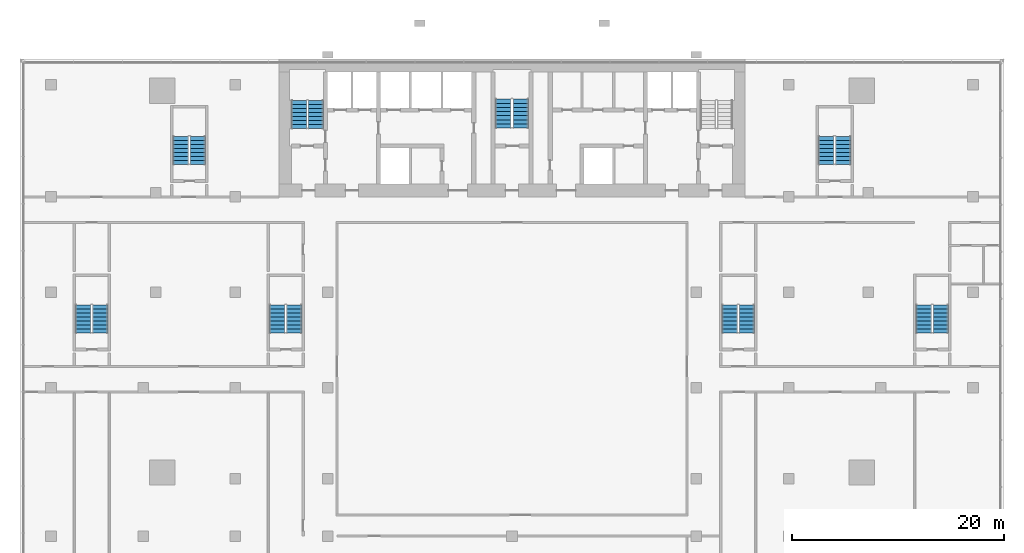
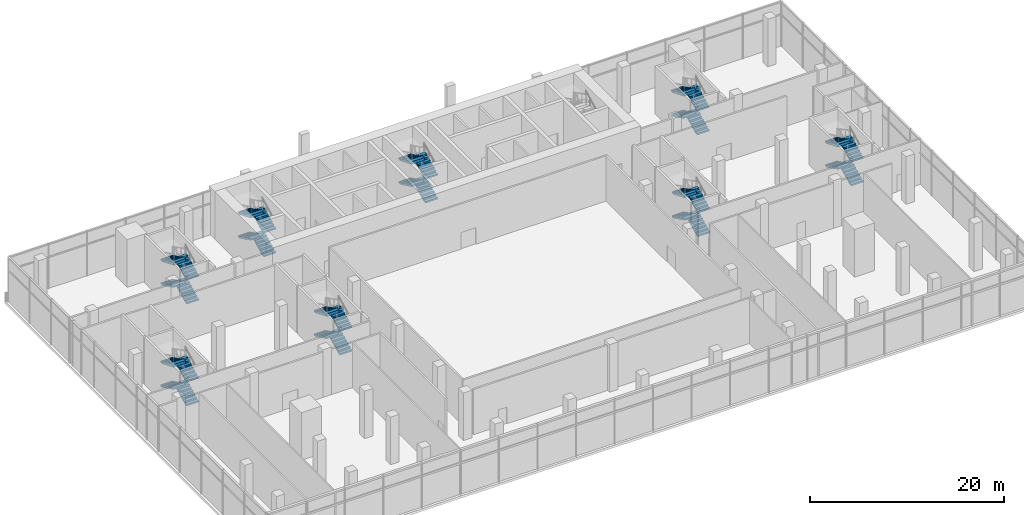
# One storey, part 16 of 21: 32 stair flights, 8 elements without a shape of their own.
"""IFC4 building model written with IfcOpenShell, lengths in metres."""

from ifc_helpers import new_model, si_unit, direction, frame, origin, place, context, subcontext, project, spatial, polyline, outline, extrude, material, type_object, element, aggregate, save


model = new_model("IFC4")

# Units and contexts
model_context = context("Model", 3, precision=1e-05, world=origin(), true_north=direction((0.0, 1.0)))
body_context = subcontext(model_context, "Body", "Model", "MODEL_VIEW")
ifc_project = project(units=[si_unit("LENGTHUNIT", "METRE"), si_unit("AREAUNIT", "SQUARE_METRE"), si_unit("VOLUMEUNIT", "CUBIC_METRE"), si_unit("PLANEANGLEUNIT", "RADIAN"), si_unit("MASSUNIT", "GRAM", prefix="KILO")], contexts=[model_context])

# Site, building, storey
site_placement = place(None, origin())
site = spatial("IfcSite", under=ifc_project, at=site_placement, CompositionType="ELEMENT")
building_placement = place(site_placement, origin())
building = spatial("IfcBuilding", under=site, at=building_placement, Name="Bicima Exchange Tower", CompositionType="ELEMENT")
storey_placement = place(building_placement, frame((0.0, 0.0, 8.0)))
storey = spatial("IfcBuildingStorey", under=building, at=storey_placement, Name="L01", CompositionType="ELEMENT", Elevation=8.0)

# Stair, stair flights
ifc_material = material(Name="Concrete C50/60", Category="concrete")
stair_type_1 = type_object("IfcStairType", Name="Exit stair", PredefinedType="HALF_TURN_STAIR", material=ifc_material)
stair_1_placement = place(storey_placement, origin())
stair_1 = element("IfcStair", 1, at=stair_1_placement, inside=storey, type_object=stair_type_1, Name="L01 West exit stair", PredefinedType="HALF_TURN_STAIR")
stair_flight_type_1 = type_object("IfcStairFlightType", Name="Stair flight RC", PredefinedType="STRAIGHT", material=ifc_material)
stair_flight_1_placement = place(storey_placement, frame((-18.52490234375, -6.550048828125, 0.0), z_axis=(0.0, 0.0, 1.0), x_axis=(0.0, 1.0, 0.0)))
stair_flight_1 = element("IfcStairFlight", 2, at=stair_flight_1_placement, type_object=stair_flight_type_1, Name="ST-W flight 1", NumberOfRisers=8, NumberOfTreads=7, PredefinedType="STRAIGHT", RiserHeight=0.1875, TreadLength=0.375714286, context=body_context, shape_type="SweptSolid", body=[
    extrude(outline(polyline([(0.0, 0.0), (0.0, 0.1875), (0.375732421875, 0.1875), (0.375732421875, 0.375), (0.75146484375, 0.375), (0.75146484375, 0.5625), (1.127197265625, 0.5625), (1.127197265625, 0.75), (1.5029296875, 0.75), (1.5029296875, 0.9375), (1.878662109375, 0.9375), (1.878662109375, 1.125), (2.25439453125, 1.125), (2.25439453125, 1.3125), (2.6298828125, 1.3125), (2.6298828125, 1.5), (2.6298828125, 1.14501953125), (0.335693359375, 0.0), (0.0, 0.0)])), frame((0.0, 0.72509765625, 0.0), z_axis=(0.0, -1.0, 0.0), x_axis=(1.0, 0.0, 0.0)), (0.0, 0.0, 1.0), 1.449951171875),
])
stair_flight_2_placement = place(storey_placement, frame((-20.074951171875, -3.919921875, 1.5), z_axis=(0.0, 0.0, 1.0), x_axis=(0.0, -1.0, 0.0)))
stair_flight_2 = element("IfcStairFlight", 3, at=stair_flight_2_placement, type_object=stair_flight_type_1, Name="ST-W flight 2", NumberOfRisers=8, NumberOfTreads=7, PredefinedType="STRAIGHT", RiserHeight=0.1875, TreadLength=0.375714286, context=body_context, shape_type="SweptSolid", body=[
    extrude(outline(polyline([(0.0, 0.0), (0.0, 0.1875), (0.375732421875, 0.1875), (0.375732421875, 0.375), (0.75146484375, 0.375), (0.75146484375, 0.5625), (1.127197265625, 0.5625), (1.127197265625, 0.75), (1.5029296875, 0.75), (1.5029296875, 0.9375), (1.878662109375, 0.9375), (1.878662109375, 1.125), (2.25439453125, 1.125), (2.25439453125, 1.3125), (2.6298828125, 1.3125), (2.6298828125, 1.5), (2.6298828125, 1.14501953125), (0.335693359375, 0.0), (0.0, 0.0)])), frame((0.0, 0.72509765625, 0.0), z_axis=(0.0, -1.0, 0.0), x_axis=(1.0, 0.0, 0.0)), (0.0, 0.0, 1.0), 1.449951171875),
])
stair_flight_3_placement = place(storey_placement, frame((-18.52490234375, -6.550048828125, 3.0), z_axis=(0.0, 0.0, 1.0), x_axis=(0.0, 1.0, 0.0)))
stair_flight_3 = element("IfcStairFlight", 4, at=stair_flight_3_placement, type_object=stair_flight_type_1, Name="ST-W flight 3", NumberOfRisers=8, NumberOfTreads=7, PredefinedType="STRAIGHT", RiserHeight=0.1875, TreadLength=0.375714286, context=body_context, shape_type="SweptSolid", body=[
    extrude(outline(polyline([(0.0, 0.0), (0.0, 0.1875), (0.375732421875, 0.1875), (0.375732421875, 0.375), (0.75146484375, 0.375), (0.75146484375, 0.5625), (1.127197265625, 0.5625), (1.127197265625, 0.75), (1.5029296875, 0.75), (1.5029296875, 0.9375), (1.878662109375, 0.9375), (1.878662109375, 1.125), (2.25439453125, 1.125), (2.25439453125, 1.3125), (2.6298828125, 1.3125), (2.6298828125, 1.5), (2.6298828125, 1.14501953125), (0.335693359375, 0.0), (0.0, 0.0)])), frame((0.0, 0.72509765625, 0.0), z_axis=(0.0, -1.0, 0.0), x_axis=(1.0, 0.0, 0.0)), (0.0, 0.0, 1.0), 1.449951171875),
])
stair_flight_4_placement = place(storey_placement, frame((-20.074951171875, -3.919921875, 4.5), z_axis=(0.0, 0.0, 1.0), x_axis=(0.0, -1.0, 0.0)))
stair_flight_4 = element("IfcStairFlight", 5, at=stair_flight_4_placement, type_object=stair_flight_type_1, Name="ST-W flight 4", NumberOfRisers=8, NumberOfTreads=7, PredefinedType="STRAIGHT", RiserHeight=0.1875, TreadLength=0.375714286, context=body_context, shape_type="SweptSolid", body=[
    extrude(outline(polyline([(0.0, 0.0), (0.0, 0.1875), (0.375732421875, 0.1875), (0.375732421875, 0.375), (0.75146484375, 0.375), (0.75146484375, 0.5625), (1.127197265625, 0.5625), (1.127197265625, 0.75), (1.5029296875, 0.75), (1.5029296875, 0.9375), (1.878662109375, 0.9375), (1.878662109375, 1.125), (2.25439453125, 1.125), (2.25439453125, 1.3125), (2.6298828125, 1.3125), (2.64501953125, 1.3125), (2.64501953125, 0.96484375), (0.335693359375, 0.0), (0.0, 0.0)])), frame((0.0, 0.72509765625, 0.0), z_axis=(0.0, -1.0, 0.0), x_axis=(1.0, 0.0, 0.0)), (0.0, 0.0, 1.0), 1.449951171875),
])
aggregate(stair_1, [stair_flight_1, stair_flight_2, stair_flight_3, stair_flight_4])

stair_2_placement = place(storey_placement, origin())
stair_2 = element("IfcStair", 6, at=stair_2_placement, inside=storey, type_object=stair_type_1, Name="L01 West end exit stair", PredefinedType="HALF_TURN_STAIR")
stair_flight_5_placement = place(storey_placement, frame((-29.64990234375, -9.925048828125, 0.0), z_axis=(0.0, 0.0, 1.0), x_axis=(0.0, 1.0, 0.0)))
stair_flight_5 = element("IfcStairFlight", 7, at=stair_flight_5_placement, type_object=stair_flight_type_1, Name="ST-WW flight 1", NumberOfRisers=8, NumberOfTreads=7, PredefinedType="STRAIGHT", RiserHeight=0.1875, TreadLength=0.375714286, context=body_context, shape_type="SweptSolid", body=[
    extrude(outline(polyline([(0.0, 0.0), (0.0, 0.1875), (0.375732421875, 0.1875), (0.375732421875, 0.375), (0.75146484375, 0.375), (0.75146484375, 0.5625), (1.127197265625, 0.5625), (1.127197265625, 0.75), (1.5029296875, 0.75), (1.5029296875, 0.9375), (1.878662109375, 0.9375), (1.878662109375, 1.125), (2.25439453125, 1.125), (2.25439453125, 1.3125), (2.6298828125, 1.3125), (2.6298828125, 1.5), (2.6298828125, 1.14501953125), (0.335693359375, 0.0), (0.0, 0.0)])), frame((0.0, 0.72509765625, 0.0), z_axis=(0.0, -1.0, 0.0), x_axis=(1.0, 0.0, 0.0)), (0.0, 0.0, 1.0), 1.449951171875),
])
stair_flight_6_placement = place(storey_placement, frame((-31.25, -7.294921875, 1.5), z_axis=(0.0, 0.0, 1.0), x_axis=(0.0, -1.0, 0.0)))
stair_flight_6 = element("IfcStairFlight", 8, at=stair_flight_6_placement, type_object=stair_flight_type_1, Name="ST-WW flight 2", NumberOfRisers=8, NumberOfTreads=7, PredefinedType="STRAIGHT", RiserHeight=0.1875, TreadLength=0.375714286, context=body_context, shape_type="SweptSolid", body=[
    extrude(outline(polyline([(0.0, 0.0), (0.0, 0.1875), (0.375732421875, 0.1875), (0.375732421875, 0.375), (0.75146484375, 0.375), (0.75146484375, 0.5625), (1.127197265625, 0.5625), (1.127197265625, 0.75), (1.5029296875, 0.75), (1.5029296875, 0.9375), (1.878662109375, 0.9375), (1.878662109375, 1.125), (2.25439453125, 1.125), (2.25439453125, 1.3125), (2.6298828125, 1.3125), (2.6298828125, 1.5), (2.6298828125, 1.14501953125), (0.335693359375, 0.0), (0.0, 0.0)])), frame((0.0, 0.72509765625, 0.0), z_axis=(0.0, -1.0, 0.0), x_axis=(1.0, 0.0, 0.0)), (0.0, 0.0, 1.0), 1.449951171875),
])
stair_flight_7_placement = place(storey_placement, frame((-29.64990234375, -9.925048828125, 3.0), z_axis=(0.0, 0.0, 1.0), x_axis=(0.0, 1.0, 0.0)))
stair_flight_7 = element("IfcStairFlight", 9, at=stair_flight_7_placement, type_object=stair_flight_type_1, Name="ST-WW flight 3", NumberOfRisers=8, NumberOfTreads=7, PredefinedType="STRAIGHT", RiserHeight=0.1875, TreadLength=0.375714286, context=body_context, shape_type="SweptSolid", body=[
    extrude(outline(polyline([(0.0, 0.0), (0.0, 0.1875), (0.375732421875, 0.1875), (0.375732421875, 0.375), (0.75146484375, 0.375), (0.75146484375, 0.5625), (1.127197265625, 0.5625), (1.127197265625, 0.75), (1.5029296875, 0.75), (1.5029296875, 0.9375), (1.878662109375, 0.9375), (1.878662109375, 1.125), (2.25439453125, 1.125), (2.25439453125, 1.3125), (2.6298828125, 1.3125), (2.6298828125, 1.5), (2.6298828125, 1.14501953125), (0.335693359375, 0.0), (0.0, 0.0)])), frame((0.0, 0.72509765625, 0.0), z_axis=(0.0, -1.0, 0.0), x_axis=(1.0, 0.0, 0.0)), (0.0, 0.0, 1.0), 1.449951171875),
])
stair_flight_8_placement = place(storey_placement, frame((-31.25, -7.294921875, 4.5), z_axis=(0.0, 0.0, 1.0), x_axis=(0.0, -1.0, 0.0)))
stair_flight_8 = element("IfcStairFlight", 10, at=stair_flight_8_placement, type_object=stair_flight_type_1, Name="ST-WW flight 4", NumberOfRisers=8, NumberOfTreads=7, PredefinedType="STRAIGHT", RiserHeight=0.1875, TreadLength=0.375714286, context=body_context, shape_type="SweptSolid", body=[
    extrude(outline(polyline([(0.0, 0.0), (0.0, 0.1875), (0.375732421875, 0.1875), (0.375732421875, 0.375), (0.75146484375, 0.375), (0.75146484375, 0.5625), (1.127197265625, 0.5625), (1.127197265625, 0.75), (1.5029296875, 0.75), (1.5029296875, 0.9375), (1.878662109375, 0.9375), (1.878662109375, 1.125), (2.25439453125, 1.125), (2.25439453125, 1.3125), (2.6298828125, 1.3125), (2.64501953125, 1.3125), (2.64501953125, 0.96484375), (0.335693359375, 0.0), (0.0, 0.0)])), frame((0.0, 0.72509765625, 0.0), z_axis=(0.0, -1.0, 0.0), x_axis=(1.0, 0.0, 0.0)), (0.0, 0.0, 1.0), 1.449951171875),
])
aggregate(stair_2, [stair_flight_5, stair_flight_6, stair_flight_7, stair_flight_8])

stair_3_placement = place(storey_placement, origin())
stair_3 = element("IfcStair", 11, at=stair_3_placement, inside=storey, type_object=stair_type_1, Name="L01 East end exit stair", PredefinedType="HALF_TURN_STAIR")
stair_flight_9_placement = place(storey_placement, frame((31.25, -9.925048828125, 0.0), z_axis=(0.0, 0.0, 1.0), x_axis=(0.0, 1.0, 0.0)))
stair_flight_9 = element("IfcStairFlight", 12, at=stair_flight_9_placement, type_object=stair_flight_type_1, Name="ST-EE flight 1", NumberOfRisers=8, NumberOfTreads=7, PredefinedType="STRAIGHT", RiserHeight=0.1875, TreadLength=0.375714286, context=body_context, shape_type="SweptSolid", body=[
    extrude(outline(polyline([(0.0, 0.0), (0.0, 0.1875), (0.375732421875, 0.1875), (0.375732421875, 0.375), (0.75146484375, 0.375), (0.75146484375, 0.5625), (1.127197265625, 0.5625), (1.127197265625, 0.75), (1.5029296875, 0.75), (1.5029296875, 0.9375), (1.878662109375, 0.9375), (1.878662109375, 1.125), (2.25439453125, 1.125), (2.25439453125, 1.3125), (2.6298828125, 1.3125), (2.6298828125, 1.5), (2.6298828125, 1.14501953125), (0.335693359375, 0.0), (0.0, 0.0)])), frame((0.0, 0.72509765625, 0.0), z_axis=(0.0, -1.0, 0.0), x_axis=(1.0, 0.0, 0.0)), (0.0, 0.0, 1.0), 1.449951171875),
])
stair_flight_10_placement = place(storey_placement, frame((29.64990234375, -7.294921875, 1.5), z_axis=(0.0, 0.0, 1.0), x_axis=(0.0, -1.0, 0.0)))
stair_flight_10 = element("IfcStairFlight", 13, at=stair_flight_10_placement, type_object=stair_flight_type_1, Name="ST-EE flight 2", NumberOfRisers=8, NumberOfTreads=7, PredefinedType="STRAIGHT", RiserHeight=0.1875, TreadLength=0.375714286, context=body_context, shape_type="SweptSolid", body=[
    extrude(outline(polyline([(0.0, 0.0), (0.0, 0.1875), (0.375732421875, 0.1875), (0.375732421875, 0.375), (0.75146484375, 0.375), (0.75146484375, 0.5625), (1.127197265625, 0.5625), (1.127197265625, 0.75), (1.5029296875, 0.75), (1.5029296875, 0.9375), (1.878662109375, 0.9375), (1.878662109375, 1.125), (2.25439453125, 1.125), (2.25439453125, 1.3125), (2.6298828125, 1.3125), (2.6298828125, 1.5), (2.6298828125, 1.14501953125), (0.335693359375, 0.0), (0.0, 0.0)])), frame((0.0, 0.72509765625, 0.0), z_axis=(0.0, -1.0, 0.0), x_axis=(1.0, 0.0, 0.0)), (0.0, 0.0, 1.0), 1.449951171875),
])
stair_flight_11_placement = place(storey_placement, frame((31.25, -9.925048828125, 3.0), z_axis=(0.0, 0.0, 1.0), x_axis=(0.0, 1.0, 0.0)))
stair_flight_11 = element("IfcStairFlight", 14, at=stair_flight_11_placement, type_object=stair_flight_type_1, Name="ST-EE flight 3", NumberOfRisers=8, NumberOfTreads=7, PredefinedType="STRAIGHT", RiserHeight=0.1875, TreadLength=0.375714286, context=body_context, shape_type="SweptSolid", body=[
    extrude(outline(polyline([(0.0, 0.0), (0.0, 0.1875), (0.375732421875, 0.1875), (0.375732421875, 0.375), (0.75146484375, 0.375), (0.75146484375, 0.5625), (1.127197265625, 0.5625), (1.127197265625, 0.75), (1.5029296875, 0.75), (1.5029296875, 0.9375), (1.878662109375, 0.9375), (1.878662109375, 1.125), (2.25439453125, 1.125), (2.25439453125, 1.3125), (2.6298828125, 1.3125), (2.6298828125, 1.5), (2.6298828125, 1.14501953125), (0.335693359375, 0.0), (0.0, 0.0)])), frame((0.0, 0.72509765625, 0.0), z_axis=(0.0, -1.0, 0.0), x_axis=(1.0, 0.0, 0.0)), (0.0, 0.0, 1.0), 1.449951171875),
])
stair_flight_12_placement = place(storey_placement, frame((29.64990234375, -7.294921875, 4.5), z_axis=(0.0, 0.0, 1.0), x_axis=(0.0, -1.0, 0.0)))
stair_flight_12 = element("IfcStairFlight", 15, at=stair_flight_12_placement, type_object=stair_flight_type_1, Name="ST-EE flight 4", NumberOfRisers=8, NumberOfTreads=7, PredefinedType="STRAIGHT", RiserHeight=0.1875, TreadLength=0.375714286, context=body_context, shape_type="SweptSolid", body=[
    extrude(outline(polyline([(0.0, 0.0), (0.0, 0.1875), (0.375732421875, 0.1875), (0.375732421875, 0.375), (0.75146484375, 0.375), (0.75146484375, 0.5625), (1.127197265625, 0.5625), (1.127197265625, 0.75), (1.5029296875, 0.75), (1.5029296875, 0.9375), (1.878662109375, 0.9375), (1.878662109375, 1.125), (2.25439453125, 1.125), (2.25439453125, 1.3125), (2.6298828125, 1.3125), (2.64501953125, 1.3125), (2.64501953125, 0.96484375), (0.335693359375, 0.0), (0.0, 0.0)])), frame((0.0, 0.72509765625, 0.0), z_axis=(0.0, -1.0, 0.0), x_axis=(1.0, 0.0, 0.0)), (0.0, 0.0, 1.0), 1.449951171875),
])
aggregate(stair_3, [stair_flight_9, stair_flight_10, stair_flight_11, stair_flight_12])

stair_4_placement = place(storey_placement, origin())
stair_4 = element("IfcStair", 16, at=stair_4_placement, inside=storey, type_object=stair_type_1, Name="L01 Podium west stair", PredefinedType="HALF_TURN_STAIR")
stair_flight_13_placement = place(storey_placement, frame((-38.85009765625, -25.824951171875, 0.0), z_axis=(0.0, 0.0, 1.0), x_axis=(0.0, 1.0, 0.0)))
stair_flight_13 = element("IfcStairFlight", 17, at=stair_flight_13_placement, type_object=stair_flight_type_1, Name="PS-W flight 1", NumberOfRisers=8, NumberOfTreads=7, PredefinedType="STRAIGHT", RiserHeight=0.1875, TreadLength=0.375714286, context=body_context, shape_type="SweptSolid", body=[
    extrude(outline(polyline([(0.0, 0.0), (0.0, 0.1875), (0.375732421875, 0.1875), (0.375732421875, 0.375), (0.75146484375, 0.375), (0.75146484375, 0.5625), (1.127197265625, 0.5625), (1.127197265625, 0.75), (1.5029296875, 0.75), (1.5029296875, 0.9375), (1.878662109375, 0.9375), (1.878662109375, 1.125), (2.25439453125, 1.125), (2.25439453125, 1.3125), (2.6298828125, 1.3125), (2.6298828125, 1.5), (2.6298828125, 1.14501953125), (0.335693359375, 0.0), (0.0, 0.0)])), frame((0.0, 0.72509765625, 0.0), z_axis=(0.0, -1.0, 0.0), x_axis=(1.0, 0.0, 0.0)), (0.0, 0.0, 1.0), 1.449951171875),
])
stair_flight_14_placement = place(storey_placement, frame((-40.449951171875, -23.195068359375, 1.5), z_axis=(0.0, 0.0, 1.0), x_axis=(0.0, -1.0, 0.0)))
stair_flight_14 = element("IfcStairFlight", 18, at=stair_flight_14_placement, type_object=stair_flight_type_1, Name="PS-W flight 2", NumberOfRisers=8, NumberOfTreads=7, PredefinedType="STRAIGHT", RiserHeight=0.1875, TreadLength=0.375714286, context=body_context, shape_type="SweptSolid", body=[
    extrude(outline(polyline([(0.0, 0.0), (0.0, 0.1875), (0.375732421875, 0.1875), (0.375732421875, 0.375), (0.75146484375, 0.375), (0.75146484375, 0.5625), (1.127197265625, 0.5625), (1.127197265625, 0.75), (1.5029296875, 0.75), (1.5029296875, 0.9375), (1.878662109375, 0.9375), (1.878662109375, 1.125), (2.25439453125, 1.125), (2.25439453125, 1.3125), (2.6298828125, 1.3125), (2.6298828125, 1.5), (2.6298828125, 1.14501953125), (0.335693359375, 0.0), (0.0, 0.0)])), frame((0.0, 0.72509765625, 0.0), z_axis=(0.0, -1.0, 0.0), x_axis=(1.0, 0.0, 0.0)), (0.0, 0.0, 1.0), 1.449951171875),
])
stair_flight_15_placement = place(storey_placement, frame((-38.85009765625, -25.824951171875, 3.0), z_axis=(0.0, 0.0, 1.0), x_axis=(0.0, 1.0, 0.0)))
stair_flight_15 = element("IfcStairFlight", 19, at=stair_flight_15_placement, type_object=stair_flight_type_1, Name="PS-W flight 3", NumberOfRisers=8, NumberOfTreads=7, PredefinedType="STRAIGHT", RiserHeight=0.1875, TreadLength=0.375714286, context=body_context, shape_type="SweptSolid", body=[
    extrude(outline(polyline([(0.0, 0.0), (0.0, 0.1875), (0.375732421875, 0.1875), (0.375732421875, 0.375), (0.75146484375, 0.375), (0.75146484375, 0.5625), (1.127197265625, 0.5625), (1.127197265625, 0.75), (1.5029296875, 0.75), (1.5029296875, 0.9375), (1.878662109375, 0.9375), (1.878662109375, 1.125), (2.25439453125, 1.125), (2.25439453125, 1.3125), (2.6298828125, 1.3125), (2.6298828125, 1.5), (2.6298828125, 1.14501953125), (0.335693359375, 0.0), (0.0, 0.0)])), frame((0.0, 0.72509765625, 0.0), z_axis=(0.0, -1.0, 0.0), x_axis=(1.0, 0.0, 0.0)), (0.0, 0.0, 1.0), 1.449951171875),
])
stair_flight_16_placement = place(storey_placement, frame((-40.449951171875, -23.195068359375, 4.5), z_axis=(0.0, 0.0, 1.0), x_axis=(0.0, -1.0, 0.0)))
stair_flight_16 = element("IfcStairFlight", 20, at=stair_flight_16_placement, type_object=stair_flight_type_1, Name="PS-W flight 4", NumberOfRisers=8, NumberOfTreads=7, PredefinedType="STRAIGHT", RiserHeight=0.1875, TreadLength=0.375714286, context=body_context, shape_type="SweptSolid", body=[
    extrude(outline(polyline([(0.0, 0.0), (0.0, 0.1875), (0.375732421875, 0.1875), (0.375732421875, 0.375), (0.75146484375, 0.375), (0.75146484375, 0.5625), (1.127197265625, 0.5625), (1.127197265625, 0.75), (1.5029296875, 0.75), (1.5029296875, 0.9375), (1.878662109375, 0.9375), (1.878662109375, 1.125), (2.25439453125, 1.125), (2.25439453125, 1.3125), (2.6298828125, 1.3125), (2.64501953125, 1.3125), (2.64501953125, 0.96484375), (0.335693359375, 0.0), (0.0, 0.0)])), frame((0.0, 0.72509765625, 0.0), z_axis=(0.0, -1.0, 0.0), x_axis=(1.0, 0.0, 0.0)), (0.0, 0.0, 1.0), 1.449951171875),
])
aggregate(stair_4, [stair_flight_13, stair_flight_14, stair_flight_15, stair_flight_16])

stair_5_placement = place(storey_placement, origin())
stair_5 = element("IfcStair", 21, at=stair_5_placement, inside=storey, type_object=stair_type_1, Name="L01 Podium inner west stair", PredefinedType="HALF_TURN_STAIR")
stair_flight_17_placement = place(storey_placement, frame((-20.550048828125, -25.824951171875, 0.0), z_axis=(0.0, 0.0, 1.0), x_axis=(0.0, 1.0, 0.0)))
stair_flight_17 = element("IfcStairFlight", 22, at=stair_flight_17_placement, type_object=stair_flight_type_1, Name="PS-WI flight 1", NumberOfRisers=8, NumberOfTreads=7, PredefinedType="STRAIGHT", RiserHeight=0.1875, TreadLength=0.375714286, context=body_context, shape_type="SweptSolid", body=[
    extrude(outline(polyline([(0.0, 0.0), (0.0, 0.1875), (0.375732421875, 0.1875), (0.375732421875, 0.375), (0.75146484375, 0.375), (0.75146484375, 0.5625), (1.127197265625, 0.5625), (1.127197265625, 0.75), (1.5029296875, 0.75), (1.5029296875, 0.9375), (1.878662109375, 0.9375), (1.878662109375, 1.125), (2.25439453125, 1.125), (2.25439453125, 1.3125), (2.6298828125, 1.3125), (2.6298828125, 1.5), (2.6298828125, 1.14501953125), (0.335693359375, 0.0), (0.0, 0.0)])), frame((0.0, 0.72509765625, 0.0), z_axis=(0.0, -1.0, 0.0), x_axis=(1.0, 0.0, 0.0)), (0.0, 0.0, 1.0), 1.449951171875),
])
stair_flight_18_placement = place(storey_placement, frame((-22.14990234375, -23.195068359375, 1.5), z_axis=(0.0, 0.0, 1.0), x_axis=(0.0, -1.0, 0.0)))
stair_flight_18 = element("IfcStairFlight", 23, at=stair_flight_18_placement, type_object=stair_flight_type_1, Name="PS-WI flight 2", NumberOfRisers=8, NumberOfTreads=7, PredefinedType="STRAIGHT", RiserHeight=0.1875, TreadLength=0.375714286, context=body_context, shape_type="SweptSolid", body=[
    extrude(outline(polyline([(0.0, 0.0), (0.0, 0.1875), (0.375732421875, 0.1875), (0.375732421875, 0.375), (0.75146484375, 0.375), (0.75146484375, 0.5625), (1.127197265625, 0.5625), (1.127197265625, 0.75), (1.5029296875, 0.75), (1.5029296875, 0.9375), (1.878662109375, 0.9375), (1.878662109375, 1.125), (2.25439453125, 1.125), (2.25439453125, 1.3125), (2.6298828125, 1.3125), (2.6298828125, 1.5), (2.6298828125, 1.14501953125), (0.335693359375, 0.0), (0.0, 0.0)])), frame((0.0, 0.72509765625, 0.0), z_axis=(0.0, -1.0, 0.0), x_axis=(1.0, 0.0, 0.0)), (0.0, 0.0, 1.0), 1.449951171875),
])
stair_flight_19_placement = place(storey_placement, frame((-20.550048828125, -25.824951171875, 3.0), z_axis=(0.0, 0.0, 1.0), x_axis=(0.0, 1.0, 0.0)))
stair_flight_19 = element("IfcStairFlight", 24, at=stair_flight_19_placement, type_object=stair_flight_type_1, Name="PS-WI flight 3", NumberOfRisers=8, NumberOfTreads=7, PredefinedType="STRAIGHT", RiserHeight=0.1875, TreadLength=0.375714286, context=body_context, shape_type="SweptSolid", body=[
    extrude(outline(polyline([(0.0, 0.0), (0.0, 0.1875), (0.375732421875, 0.1875), (0.375732421875, 0.375), (0.75146484375, 0.375), (0.75146484375, 0.5625), (1.127197265625, 0.5625), (1.127197265625, 0.75), (1.5029296875, 0.75), (1.5029296875, 0.9375), (1.878662109375, 0.9375), (1.878662109375, 1.125), (2.25439453125, 1.125), (2.25439453125, 1.3125), (2.6298828125, 1.3125), (2.6298828125, 1.5), (2.6298828125, 1.14501953125), (0.335693359375, 0.0), (0.0, 0.0)])), frame((0.0, 0.72509765625, 0.0), z_axis=(0.0, -1.0, 0.0), x_axis=(1.0, 0.0, 0.0)), (0.0, 0.0, 1.0), 1.449951171875),
])
stair_flight_20_placement = place(storey_placement, frame((-22.14990234375, -23.195068359375, 4.5), z_axis=(0.0, 0.0, 1.0), x_axis=(0.0, -1.0, 0.0)))
stair_flight_20 = element("IfcStairFlight", 25, at=stair_flight_20_placement, type_object=stair_flight_type_1, Name="PS-WI flight 4", NumberOfRisers=8, NumberOfTreads=7, PredefinedType="STRAIGHT", RiserHeight=0.1875, TreadLength=0.375714286, context=body_context, shape_type="SweptSolid", body=[
    extrude(outline(polyline([(0.0, 0.0), (0.0, 0.1875), (0.375732421875, 0.1875), (0.375732421875, 0.375), (0.75146484375, 0.375), (0.75146484375, 0.5625), (1.127197265625, 0.5625), (1.127197265625, 0.75), (1.5029296875, 0.75), (1.5029296875, 0.9375), (1.878662109375, 0.9375), (1.878662109375, 1.125), (2.25439453125, 1.125), (2.25439453125, 1.3125), (2.6298828125, 1.3125), (2.64501953125, 1.3125), (2.64501953125, 0.96484375), (0.335693359375, 0.0), (0.0, 0.0)])), frame((0.0, 0.72509765625, 0.0), z_axis=(0.0, -1.0, 0.0), x_axis=(1.0, 0.0, 0.0)), (0.0, 0.0, 1.0), 1.449951171875),
])
aggregate(stair_5, [stair_flight_17, stair_flight_18, stair_flight_19, stair_flight_20])

stair_6_placement = place(storey_placement, origin())
stair_6 = element("IfcStair", 26, at=stair_6_placement, inside=storey, type_object=stair_type_1, Name="L01 Podium inner east stair", PredefinedType="HALF_TURN_STAIR")
stair_flight_21_placement = place(storey_placement, frame((22.14990234375, -25.824951171875, 0.0), z_axis=(0.0, 0.0, 1.0), x_axis=(0.0, 1.0, 0.0)))
stair_flight_21 = element("IfcStairFlight", 27, at=stair_flight_21_placement, type_object=stair_flight_type_1, Name="PS-EI flight 1", NumberOfRisers=8, NumberOfTreads=7, PredefinedType="STRAIGHT", RiserHeight=0.1875, TreadLength=0.375714286, context=body_context, shape_type="SweptSolid", body=[
    extrude(outline(polyline([(0.0, 0.0), (0.0, 0.1875), (0.375732421875, 0.1875), (0.375732421875, 0.375), (0.75146484375, 0.375), (0.75146484375, 0.5625), (1.127197265625, 0.5625), (1.127197265625, 0.75), (1.5029296875, 0.75), (1.5029296875, 0.9375), (1.878662109375, 0.9375), (1.878662109375, 1.125), (2.25439453125, 1.125), (2.25439453125, 1.3125), (2.6298828125, 1.3125), (2.6298828125, 1.5), (2.6298828125, 1.14501953125), (0.335693359375, 0.0), (0.0, 0.0)])), frame((0.0, 0.72509765625, 0.0), z_axis=(0.0, -1.0, 0.0), x_axis=(1.0, 0.0, 0.0)), (0.0, 0.0, 1.0), 1.449951171875),
])
stair_flight_22_placement = place(storey_placement, frame((20.550048828125, -23.195068359375, 1.5), z_axis=(0.0, 0.0, 1.0), x_axis=(0.0, -1.0, 0.0)))
stair_flight_22 = element("IfcStairFlight", 28, at=stair_flight_22_placement, type_object=stair_flight_type_1, Name="PS-EI flight 2", NumberOfRisers=8, NumberOfTreads=7, PredefinedType="STRAIGHT", RiserHeight=0.1875, TreadLength=0.375714286, context=body_context, shape_type="SweptSolid", body=[
    extrude(outline(polyline([(0.0, 0.0), (0.0, 0.1875), (0.375732421875, 0.1875), (0.375732421875, 0.375), (0.75146484375, 0.375), (0.75146484375, 0.5625), (1.127197265625, 0.5625), (1.127197265625, 0.75), (1.5029296875, 0.75), (1.5029296875, 0.9375), (1.878662109375, 0.9375), (1.878662109375, 1.125), (2.25439453125, 1.125), (2.25439453125, 1.3125), (2.6298828125, 1.3125), (2.6298828125, 1.5), (2.6298828125, 1.14501953125), (0.335693359375, 0.0), (0.0, 0.0)])), frame((0.0, 0.72509765625, 0.0), z_axis=(0.0, -1.0, 0.0), x_axis=(1.0, 0.0, 0.0)), (0.0, 0.0, 1.0), 1.449951171875),
])
stair_flight_23_placement = place(storey_placement, frame((22.14990234375, -25.824951171875, 3.0), z_axis=(0.0, 0.0, 1.0), x_axis=(0.0, 1.0, 0.0)))
stair_flight_23 = element("IfcStairFlight", 29, at=stair_flight_23_placement, type_object=stair_flight_type_1, Name="PS-EI flight 3", NumberOfRisers=8, NumberOfTreads=7, PredefinedType="STRAIGHT", RiserHeight=0.1875, TreadLength=0.375714286, context=body_context, shape_type="SweptSolid", body=[
    extrude(outline(polyline([(0.0, 0.0), (0.0, 0.1875), (0.375732421875, 0.1875), (0.375732421875, 0.375), (0.75146484375, 0.375), (0.75146484375, 0.5625), (1.127197265625, 0.5625), (1.127197265625, 0.75), (1.5029296875, 0.75), (1.5029296875, 0.9375), (1.878662109375, 0.9375), (1.878662109375, 1.125), (2.25439453125, 1.125), (2.25439453125, 1.3125), (2.6298828125, 1.3125), (2.6298828125, 1.5), (2.6298828125, 1.14501953125), (0.335693359375, 0.0), (0.0, 0.0)])), frame((0.0, 0.72509765625, 0.0), z_axis=(0.0, -1.0, 0.0), x_axis=(1.0, 0.0, 0.0)), (0.0, 0.0, 1.0), 1.449951171875),
])
stair_flight_24_placement = place(storey_placement, frame((20.550048828125, -23.195068359375, 4.5), z_axis=(0.0, 0.0, 1.0), x_axis=(0.0, -1.0, 0.0)))
stair_flight_24 = element("IfcStairFlight", 30, at=stair_flight_24_placement, type_object=stair_flight_type_1, Name="PS-EI flight 4", NumberOfRisers=8, NumberOfTreads=7, PredefinedType="STRAIGHT", RiserHeight=0.1875, TreadLength=0.375714286, context=body_context, shape_type="SweptSolid", body=[
    extrude(outline(polyline([(0.0, 0.0), (0.0, 0.1875), (0.375732421875, 0.1875), (0.375732421875, 0.375), (0.75146484375, 0.375), (0.75146484375, 0.5625), (1.127197265625, 0.5625), (1.127197265625, 0.75), (1.5029296875, 0.75), (1.5029296875, 0.9375), (1.878662109375, 0.9375), (1.878662109375, 1.125), (2.25439453125, 1.125), (2.25439453125, 1.3125), (2.6298828125, 1.3125), (2.64501953125, 1.3125), (2.64501953125, 0.96484375), (0.335693359375, 0.0), (0.0, 0.0)])), frame((0.0, 0.72509765625, 0.0), z_axis=(0.0, -1.0, 0.0), x_axis=(1.0, 0.0, 0.0)), (0.0, 0.0, 1.0), 1.449951171875),
])
aggregate(stair_6, [stair_flight_21, stair_flight_22, stair_flight_23, stair_flight_24])

stair_7_placement = place(storey_placement, origin())
stair_7 = element("IfcStair", 31, at=stair_7_placement, inside=storey, type_object=stair_type_1, Name="L01 Podium east stair", PredefinedType="HALF_TURN_STAIR")
stair_flight_25_placement = place(storey_placement, frame((40.449951171875, -25.824951171875, 0.0), z_axis=(0.0, 0.0, 1.0), x_axis=(0.0, 1.0, 0.0)))
stair_flight_25 = element("IfcStairFlight", 32, at=stair_flight_25_placement, type_object=stair_flight_type_1, Name="PS-E flight 1", NumberOfRisers=8, NumberOfTreads=7, PredefinedType="STRAIGHT", RiserHeight=0.1875, TreadLength=0.375714286, context=body_context, shape_type="SweptSolid", body=[
    extrude(outline(polyline([(0.0, 0.0), (0.0, 0.1875), (0.375732421875, 0.1875), (0.375732421875, 0.375), (0.75146484375, 0.375), (0.75146484375, 0.5625), (1.127197265625, 0.5625), (1.127197265625, 0.75), (1.5029296875, 0.75), (1.5029296875, 0.9375), (1.878662109375, 0.9375), (1.878662109375, 1.125), (2.25439453125, 1.125), (2.25439453125, 1.3125), (2.6298828125, 1.3125), (2.6298828125, 1.5), (2.6298828125, 1.14501953125), (0.335693359375, 0.0), (0.0, 0.0)])), frame((0.0, 0.72509765625, 0.0), z_axis=(0.0, -1.0, 0.0), x_axis=(1.0, 0.0, 0.0)), (0.0, 0.0, 1.0), 1.449951171875),
])
stair_flight_26_placement = place(storey_placement, frame((38.85009765625, -23.195068359375, 1.5), z_axis=(0.0, 0.0, 1.0), x_axis=(0.0, -1.0, 0.0)))
stair_flight_26 = element("IfcStairFlight", 33, at=stair_flight_26_placement, type_object=stair_flight_type_1, Name="PS-E flight 2", NumberOfRisers=8, NumberOfTreads=7, PredefinedType="STRAIGHT", RiserHeight=0.1875, TreadLength=0.375714286, context=body_context, shape_type="SweptSolid", body=[
    extrude(outline(polyline([(0.0, 0.0), (0.0, 0.1875), (0.375732421875, 0.1875), (0.375732421875, 0.375), (0.75146484375, 0.375), (0.75146484375, 0.5625), (1.127197265625, 0.5625), (1.127197265625, 0.75), (1.5029296875, 0.75), (1.5029296875, 0.9375), (1.878662109375, 0.9375), (1.878662109375, 1.125), (2.25439453125, 1.125), (2.25439453125, 1.3125), (2.6298828125, 1.3125), (2.6298828125, 1.5), (2.6298828125, 1.14501953125), (0.335693359375, 0.0), (0.0, 0.0)])), frame((0.0, 0.72509765625, 0.0), z_axis=(0.0, -1.0, 0.0), x_axis=(1.0, 0.0, 0.0)), (0.0, 0.0, 1.0), 1.449951171875),
])
stair_flight_27_placement = place(storey_placement, frame((40.449951171875, -25.824951171875, 3.0), z_axis=(0.0, 0.0, 1.0), x_axis=(0.0, 1.0, 0.0)))
stair_flight_27 = element("IfcStairFlight", 34, at=stair_flight_27_placement, type_object=stair_flight_type_1, Name="PS-E flight 3", NumberOfRisers=8, NumberOfTreads=7, PredefinedType="STRAIGHT", RiserHeight=0.1875, TreadLength=0.375714286, context=body_context, shape_type="SweptSolid", body=[
    extrude(outline(polyline([(0.0, 0.0), (0.0, 0.1875), (0.375732421875, 0.1875), (0.375732421875, 0.375), (0.75146484375, 0.375), (0.75146484375, 0.5625), (1.127197265625, 0.5625), (1.127197265625, 0.75), (1.5029296875, 0.75), (1.5029296875, 0.9375), (1.878662109375, 0.9375), (1.878662109375, 1.125), (2.25439453125, 1.125), (2.25439453125, 1.3125), (2.6298828125, 1.3125), (2.6298828125, 1.5), (2.6298828125, 1.14501953125), (0.335693359375, 0.0), (0.0, 0.0)])), frame((0.0, 0.72509765625, 0.0), z_axis=(0.0, -1.0, 0.0), x_axis=(1.0, 0.0, 0.0)), (0.0, 0.0, 1.0), 1.449951171875),
])
stair_flight_28_placement = place(storey_placement, frame((38.85009765625, -23.195068359375, 4.5), z_axis=(0.0, 0.0, 1.0), x_axis=(0.0, -1.0, 0.0)))
stair_flight_28 = element("IfcStairFlight", 35, at=stair_flight_28_placement, type_object=stair_flight_type_1, Name="PS-E flight 4", NumberOfRisers=8, NumberOfTreads=7, PredefinedType="STRAIGHT", RiserHeight=0.1875, TreadLength=0.375714286, context=body_context, shape_type="SweptSolid", body=[
    extrude(outline(polyline([(0.0, 0.0), (0.0, 0.1875), (0.375732421875, 0.1875), (0.375732421875, 0.375), (0.75146484375, 0.375), (0.75146484375, 0.5625), (1.127197265625, 0.5625), (1.127197265625, 0.75), (1.5029296875, 0.75), (1.5029296875, 0.9375), (1.878662109375, 0.9375), (1.878662109375, 1.125), (2.25439453125, 1.125), (2.25439453125, 1.3125), (2.6298828125, 1.3125), (2.64501953125, 1.3125), (2.64501953125, 0.96484375), (0.335693359375, 0.0), (0.0, 0.0)])), frame((0.0, 0.72509765625, 0.0), z_axis=(0.0, -1.0, 0.0), x_axis=(1.0, 0.0, 0.0)), (0.0, 0.0, 1.0), 1.449951171875),
])
aggregate(stair_7, [stair_flight_25, stair_flight_26, stair_flight_27, stair_flight_28])

stair_type_2 = type_object("IfcStairType", Name="Exit stair 1500", PredefinedType="HALF_TURN_STAIR", material=ifc_material)
stair_8_placement = place(storey_placement, origin())
stair_8 = element("IfcStair", 36, at=stair_8_placement, inside=storey, type_object=stair_type_2, Name="L01 Central exit stair", PredefinedType="HALF_TURN_STAIR")
stair_flight_type_2 = type_object("IfcStairFlightType", Name="Stair flight RC 1500", PredefinedType="STRAIGHT", material=ifc_material)
stair_flight_29_placement = place(storey_placement, frame((0.824951171875, -6.5, 0.0), z_axis=(0.0, 0.0, 1.0), x_axis=(0.0, 1.0, 0.0)))
stair_flight_29 = element("IfcStairFlight", 37, at=stair_flight_29_placement, type_object=stair_flight_type_2, Name="ST-C flight 1", NumberOfRisers=8, NumberOfTreads=7, PredefinedType="STRAIGHT", RiserHeight=0.1875, TreadLength=0.388571429, context=body_context, shape_type="SweptSolid", body=[
    extrude(outline(polyline([(0.0, 0.0), (0.0, 0.1875), (0.388671875, 0.1875), (0.388671875, 0.375), (0.777099609375, 0.375), (0.777099609375, 0.5625), (1.165771484375, 0.5625), (1.165771484375, 0.75), (1.55419921875, 0.75), (1.55419921875, 0.9375), (1.94287109375, 0.9375), (1.94287109375, 1.125), (2.33154296875, 1.125), (2.33154296875, 1.3125), (2.719970703125, 1.3125), (2.719970703125, 1.5), (2.719970703125, 1.14599609375), (0.344970703125, 0.0), (0.0, 0.0)])), frame((0.0, 0.75, 0.0), z_axis=(0.0, -1.0, 0.0), x_axis=(1.0, 0.0, 0.0)), (0.0, 0.0, 1.0), 1.5),
])
stair_flight_30_placement = place(storey_placement, frame((-0.824951171875, -3.780029296875, 1.5), z_axis=(0.0, 0.0, 1.0), x_axis=(0.0, -1.0, 0.0)))
stair_flight_30 = element("IfcStairFlight", 38, at=stair_flight_30_placement, type_object=stair_flight_type_2, Name="ST-C flight 2", NumberOfRisers=8, NumberOfTreads=7, PredefinedType="STRAIGHT", RiserHeight=0.1875, TreadLength=0.388571429, context=body_context, shape_type="SweptSolid", body=[
    extrude(outline(polyline([(0.0, 0.0), (0.0, 0.1875), (0.388671875, 0.1875), (0.388671875, 0.375), (0.777099609375, 0.375), (0.777099609375, 0.5625), (1.165771484375, 0.5625), (1.165771484375, 0.75), (1.55419921875, 0.75), (1.55419921875, 0.9375), (1.94287109375, 0.9375), (1.94287109375, 1.125), (2.33154296875, 1.125), (2.33154296875, 1.3125), (2.719970703125, 1.3125), (2.719970703125, 1.5), (2.719970703125, 1.14599609375), (0.344970703125, 0.0), (0.0, 0.0)])), frame((0.0, 0.75, 0.0), z_axis=(0.0, -1.0, 0.0), x_axis=(1.0, 0.0, 0.0)), (0.0, 0.0, 1.0), 1.5),
])
stair_flight_31_placement = place(storey_placement, frame((0.824951171875, -6.5, 3.0), z_axis=(0.0, 0.0, 1.0), x_axis=(0.0, 1.0, 0.0)))
stair_flight_31 = element("IfcStairFlight", 39, at=stair_flight_31_placement, type_object=stair_flight_type_2, Name="ST-C flight 3", NumberOfRisers=8, NumberOfTreads=7, PredefinedType="STRAIGHT", RiserHeight=0.1875, TreadLength=0.388571429, context=body_context, shape_type="SweptSolid", body=[
    extrude(outline(polyline([(0.0, 0.0), (0.0, 0.1875), (0.388671875, 0.1875), (0.388671875, 0.375), (0.777099609375, 0.375), (0.777099609375, 0.5625), (1.165771484375, 0.5625), (1.165771484375, 0.75), (1.55419921875, 0.75), (1.55419921875, 0.9375), (1.94287109375, 0.9375), (1.94287109375, 1.125), (2.33154296875, 1.125), (2.33154296875, 1.3125), (2.719970703125, 1.3125), (2.719970703125, 1.5), (2.719970703125, 1.14599609375), (0.344970703125, 0.0), (0.0, 0.0)])), frame((0.0, 0.75, 0.0), z_axis=(0.0, -1.0, 0.0), x_axis=(1.0, 0.0, 0.0)), (0.0, 0.0, 1.0), 1.5),
])
stair_flight_32_placement = place(storey_placement, frame((-0.824951171875, -3.780029296875, 4.5), z_axis=(0.0, 0.0, 1.0), x_axis=(0.0, -1.0, 0.0)))
stair_flight_32 = element("IfcStairFlight", 40, at=stair_flight_32_placement, type_object=stair_flight_type_2, Name="ST-C flight 4", NumberOfRisers=8, NumberOfTreads=7, PredefinedType="STRAIGHT", RiserHeight=0.1875, TreadLength=0.388571429, context=body_context, shape_type="SweptSolid", body=[
    extrude(outline(polyline([(0.0, 0.0), (0.0, 0.1875), (0.388671875, 0.1875), (0.388671875, 0.375), (0.777099609375, 0.375), (0.777099609375, 0.5625), (1.165771484375, 0.5625), (1.165771484375, 0.75), (1.55419921875, 0.75), (1.55419921875, 0.9375), (1.94287109375, 0.9375), (1.94287109375, 1.125), (2.33154296875, 1.125), (2.33154296875, 1.3125), (2.719970703125, 1.3125), (2.735107421875, 1.3125), (2.735107421875, 0.9658203125), (0.344970703125, 0.0), (0.0, 0.0)])), frame((0.0, 0.75, 0.0), z_axis=(0.0, -1.0, 0.0), x_axis=(1.0, 0.0, 0.0)), (0.0, 0.0, 1.0), 1.5),
])
aggregate(stair_8, [stair_flight_29, stair_flight_30, stair_flight_31, stair_flight_32])

save(model, "model.ifc")
